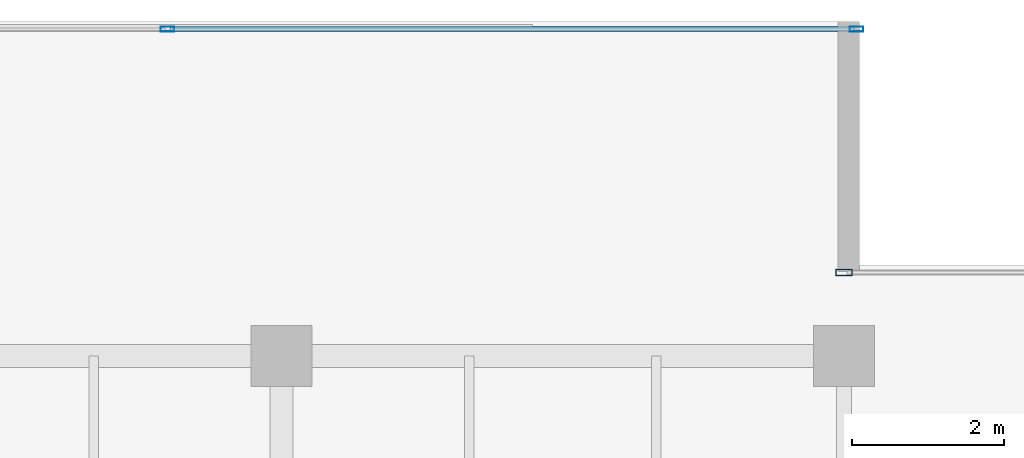
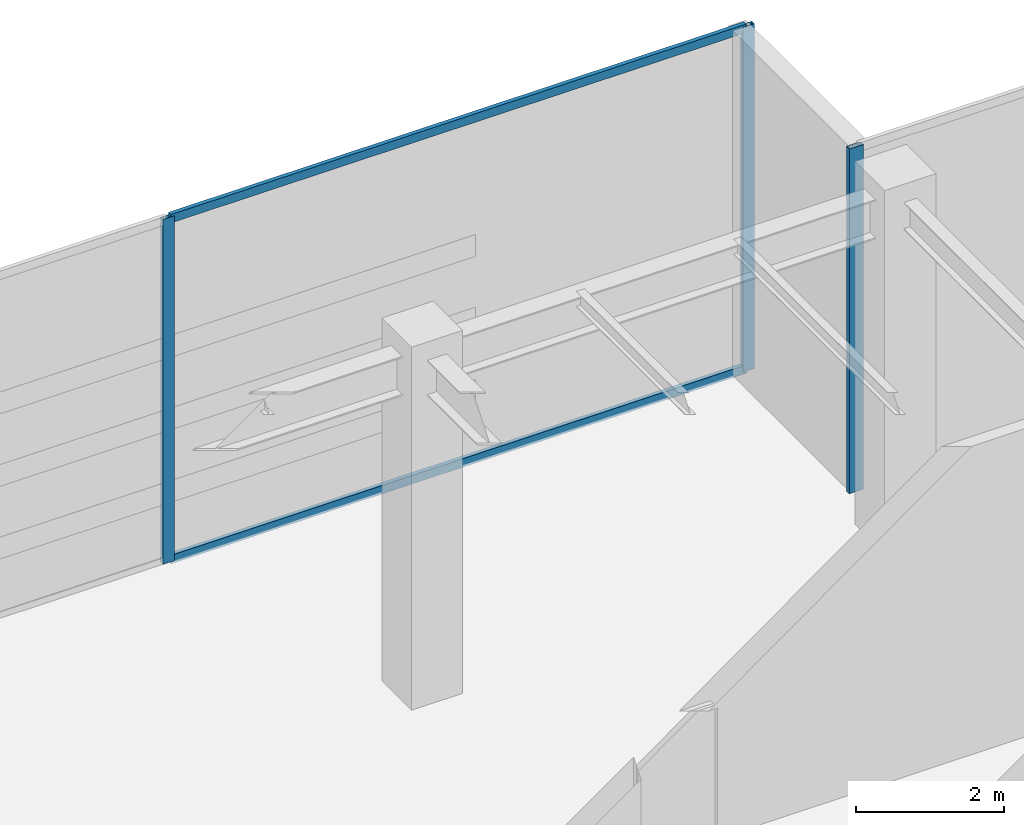
# One storey, part 18 of 30: 5 members, 2 elements without a shape of their own.
"""IFC4 building model written with IfcOpenShell, lengths in metres."""

from ifc_helpers import new_model, si_unit, direction, frame, origin, origin_2d, place, context, subcontext, project, spatial, hollow_rectangle, extrude, source, transform, mapped, material, layer, layer_set, material_profile, profile_set, type_object, type_shapes, element, aggregate, save


model = new_model("IFC4")

# Units and contexts
model_context = context("Model", 3, precision=1e-05, world=origin(), true_north=direction((0.0, 1.0)))
body_context = subcontext(model_context, "Body", "Model", "MODEL_VIEW")
ifc_project = project(units=[si_unit("LENGTHUNIT", "METRE"), si_unit("AREAUNIT", "SQUARE_METRE"), si_unit("VOLUMEUNIT", "CUBIC_METRE"), si_unit("PLANEANGLEUNIT", "RADIAN"), si_unit("MASSUNIT", "GRAM", prefix="KILO")], contexts=[model_context])

# Site, building, storey
site_placement = place(None, origin())
site = spatial("IfcSite", under=ifc_project, at=site_placement, CompositionType="ELEMENT")
building_placement = place(site_placement, origin())
building = spatial("IfcBuilding", under=site, at=building_placement, Name="Haelvirn Gate Laboratories", CompositionType="ELEMENT")
storey_placement = place(building_placement, frame((0.0, 0.0, 291.60009765625)))
storey = spatial("IfcBuildingStorey", under=building, at=storey_placement, Name="L70", CompositionType="ELEMENT", Elevation=291.60009765625)

# Curtain wall, members
ifc_material_1 = material(Name="Anodised bronze unitised aluminium & triple low-E glass", Category="aluminium")
ifc_layer_1 = layer(ifc_material_1, 0.176025390625, Name="CW-SYS-4")
ifc_layer_set_1 = layer_set([ifc_layer_1], Name="Anodised bronze unitised aluminium & triple low-E glass")
curtain_wall_type_1 = type_object("IfcCurtainWallType", Name="CW-SYS-4", PredefinedType="NOTDEFINED", material=ifc_layer_set_1)
curtain_wall_1_placement = place(storey_placement, origin())
curtain_wall_1 = element("IfcCurtainWall", 1, at=curtain_wall_1_placement, inside=storey, type_object=curtain_wall_type_1, Name="L70 Unitised Curtain Wall CW-L70-P1-E06-1", PredefinedType="NOTDEFINED")
ifc_material_2 = material(Name="Extruded aluminium 6063-T6 (anodised bronze)", Category="aluminium")
ifc_material_profile_1 = material_profile(ifc_material_2, hollow_rectangle(XDim=0.06494140625, YDim=0.139892578125, WallThickness=0.00390625, at=origin_2d()), Name="CWT-140x65x4")
ifc_profile_set_1 = profile_set([ifc_material_profile_1], Name="Extruded aluminium 6063-T6 (anodised bronze)")
member_type_1 = type_object("IfcMemberType", Name="CWT-T140", PredefinedType="USERDEFINED", material=ifc_profile_set_1)
shared_shape_1 = source(origin(), body_context, "Body", "SweptSolid", [
    extrude(hollow_rectangle(XDim=0.06494140625, YDim=0.139892578125, WallThickness=0.00390625, at=origin_2d()), origin(), (0.0, 0.0, 1.0), 8.9951171875),
])
type_shapes(member_type_1, [shared_shape_1])
member_1_placement = place(storey_placement, frame((58.534912109375, 45.89990234375, 0.032470703125), z_axis=(1.0, 0.0, 0.0), x_axis=(0.0, 1.0, 0.0)))
member_1 = element("IfcMember", 2, at=member_1_placement, type_object=member_type_1, Name="CW4 transom 2.1", ObjectType="TRANSOM", PredefinedType="USERDEFINED", context=body_context, shape_type="MappedRepresentation", body=[
    mapped(shared_shape_1, transform((0.0, 0.0, 0.0), scale=1.0)),
])
member_2_placement = place(storey_placement, frame((58.534912109375, 45.89990234375, 5.66748046875), z_axis=(1.0, 0.0, 0.0), x_axis=(0.0, 1.0, 0.0)))
member_2 = element("IfcMember", 3, at=member_2_placement, type_object=member_type_1, Name="CW4 transom 2.2", ObjectType="TRANSOM", PredefinedType="USERDEFINED", context=body_context, shape_type="MappedRepresentation", body=[
    mapped(shared_shape_1, transform((0.0, 0.0, 0.0), scale=1.0)),
])
ifc_material_profile_2 = material_profile(ifc_material_2, hollow_rectangle(XDim=0.070068359375, YDim=0.179931640625, WallThickness=0.0048828125, at=origin_2d()), Name="CWM-180x70x5")
ifc_profile_set_2 = profile_set([ifc_material_profile_2], Name="Extruded aluminium 6063-T6 (anodised bronze)")
member_type_2 = type_object("IfcMemberType", Name="CWM-T180", PredefinedType="MULLION", material=ifc_profile_set_2)
shared_shape_2 = source(origin(), body_context, "Body", "SweptSolid", [
    extrude(hollow_rectangle(XDim=0.070068359375, YDim=0.179931640625, WallThickness=0.0048828125, at=origin_2d()), origin(), (0.0, 0.0, 1.0), 5.699951171875),
])
type_shapes(member_type_2, [shared_shape_2])
member_3_placement = place(storey_placement, frame((58.5, 45.89990234375, 0.0), z_axis=(0.0, 0.0, 1.0), x_axis=(0.0, 1.0, 0.0)))
member_3 = element("IfcMember", 4, at=member_3_placement, type_object=member_type_2, Name="CW4 mullion 2", PredefinedType="MULLION", context=body_context, shape_type="MappedRepresentation", body=[
    mapped(shared_shape_2, transform((0.0, 0.0, 0.0), scale=1.0)),
])
member_4_placement = place(storey_placement, frame((67.56494140625, 45.89990234375, 0.0), z_axis=(0.0, 0.0, 1.0), x_axis=(0.0, 1.0, 0.0)))
member_4 = element("IfcMember", 5, at=member_4_placement, type_object=member_type_2, Name="CW4 mullion 3", PredefinedType="MULLION", context=body_context, shape_type="MappedRepresentation", body=[
    mapped(shared_shape_2, transform((0.0, 0.0, 0.0), scale=1.0)),
])
aggregate(curtain_wall_1, [member_3, member_4, member_1, member_2])

# Curtain wall, member
ifc_layer_2 = layer(ifc_material_1, 0.181884765625, Name="CW-SYS-5")
ifc_layer_set_2 = layer_set([ifc_layer_2], Name="Anodised bronze unitised aluminium & triple low-E glass")
curtain_wall_type_2 = type_object("IfcCurtainWallType", Name="CW-SYS-5", PredefinedType="NOTDEFINED", material=ifc_layer_set_2)
curtain_wall_2_placement = place(storey_placement, origin())
curtain_wall_2 = element("IfcCurtainWall", 6, at=curtain_wall_2_placement, inside=storey, type_object=curtain_wall_type_2, Name="L70 Unitised Curtain Wall CW-L70-P1-E04-1", PredefinedType="NOTDEFINED")
ifc_material_profile_3 = material_profile(ifc_material_2, hollow_rectangle(XDim=0.080078125, YDim=0.219970703125, WallThickness=0.006103515625, at=origin_2d()), Name="CWM-220x80x6")
ifc_profile_set_3 = profile_set([ifc_material_profile_3], Name="Extruded aluminium 6063-T6 (anodised bronze)")
member_type_3 = type_object("IfcMemberType", Name="CWM-T220", PredefinedType="MULLION", material=ifc_profile_set_3)
shared_shape_3 = source(origin(), body_context, "Body", "SweptSolid", [
    extrude(hollow_rectangle(XDim=0.080078125, YDim=0.219970703125, WallThickness=0.006103515625, at=origin_2d()), origin(), (0.0, 0.0, 1.0), 5.699951171875),
])
type_shapes(member_type_3, [shared_shape_3])
member_5_placement = place(storey_placement, frame((67.39990234375, 42.699951171875, 0.0), z_axis=(0.0, 0.0, 1.0), x_axis=(0.0, 1.0, 0.0)))
member_5 = element("IfcMember", 7, at=member_5_placement, type_object=member_type_3, Name="CW5 mullion 1", PredefinedType="MULLION", context=body_context, shape_type="MappedRepresentation", body=[
    mapped(shared_shape_3, transform((0.0, 0.0, 0.0), scale=1.0)),
])
aggregate(curtain_wall_2, [member_5])

save(model, "model.ifc")
